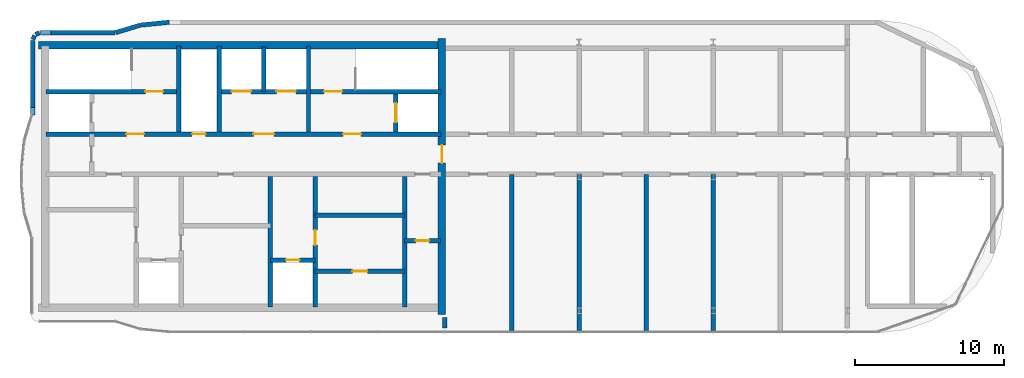
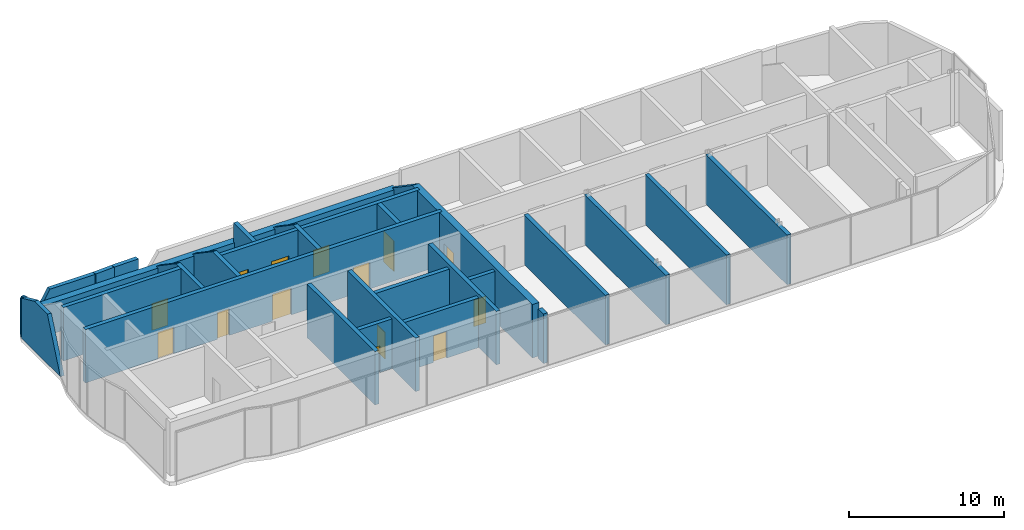
# One storey, part 7 of 9: 28 walls, 14 doors, 14 openings.
"""IFC4 building model written with IfcOpenShell, lengths in metres."""

from ifc_helpers import new_model, si_unit, direction, frame, frame_2d, origin, place, context, subcontext, project, spatial, polyline, rectangle, outline, extrude, material, layer, layer_set, type_object, element, fill, save


model = new_model("IFC4")

# Units and contexts
model_context = context("Model", 3, precision=1e-05, world=origin(), true_north=direction((0.0, 1.0)))
body_context = subcontext(model_context, "Body", "Model", "MODEL_VIEW")
ifc_project = project(units=[si_unit("LENGTHUNIT", "METRE"), si_unit("AREAUNIT", "SQUARE_METRE"), si_unit("VOLUMEUNIT", "CUBIC_METRE"), si_unit("PLANEANGLEUNIT", "RADIAN"), si_unit("MASSUNIT", "GRAM", prefix="KILO")], contexts=[model_context])

# Site, building, storey
site_placement = place(None, origin())
site = spatial("IfcSite", under=ifc_project, at=site_placement, CompositionType="ELEMENT")
building_placement = place(site_placement, origin())
building = spatial("IfcBuilding", under=site, at=building_placement, Name="Ogive Portal Towers", CompositionType="ELEMENT")
storey_placement = place(building_placement, frame((0.0, 0.0, 281.300048828125)))
storey = spatial("IfcBuildingStorey", under=building, at=storey_placement, Name="L68", CompositionType="ELEMENT", Elevation=281.300048828125)

# Wall
ifc_material_1 = material(Name="Concrete C60/75", Category="concrete")
ifc_layer_1 = layer(ifc_material_1, 0.300048828125)
ifc_layer_set_1 = layer_set([ifc_layer_1], Name="CORE WALL 300 C60")
wall_type_1 = type_object("IfcWallType", Name="CORE WALL 300 C60", PredefinedType="SHEAR", material=ifc_layer_set_1)
wall_1_placement = place(storey_placement, frame((46.800048828125, 21.75, 0.0), z_axis=(0.0, 0.0, 1.0), x_axis=(0.0, 1.0, 0.0)))
element("IfcWall", 1, at=wall_1_placement, inside=storey, type_object=wall_type_1, Name="Core wall X3 L68", PredefinedType="SHEAR", context=body_context, shape_type="SweptSolid", body=[
    extrude(rectangle(XDim=8.75, YDim=0.300048828125, at=frame_2d((4.375, 0.0))), origin(), (0.0, 0.0, 1.0), 4.199951171875),
])

# Wall, opening, door
wall_2_placement = place(storey_placement, frame((49.800048828125, 21.75, 0.0), z_axis=(0.0, 0.0, 1.0), x_axis=(0.0, 1.0, 0.0)))
wall_2 = element("IfcWall", 2, at=wall_2_placement, inside=storey, type_object=wall_type_1, Name="Core wall X4 L68", PredefinedType="SHEAR", context=body_context, shape_type="SweptSolid", body=[
    extrude(rectangle(XDim=8.75, YDim=0.300048828125, at=frame_2d((4.375, 0.0))), origin(), (0.0, 0.0, 1.0), 4.199951171875),
])
opening_1_placement = place(wall_2_placement, frame((4.14990234375, 0.0, 0.0)))
opening_1 = element("IfcOpeningElement", 3, at=opening_1_placement, cuts=wall_2, Name="Opening D34-020", PredefinedType="OPENING", context=body_context, shape_type="SweptSolid", body=[
    extrude(rectangle(XDim=1.0, YDim=2.10009765625, at=frame_2d((0.5, 1.050048828125))), frame((0.0, 0.16015625, 0.0), z_axis=(0.0, -1.0, 0.0), x_axis=(1.0, 0.0, 0.0)), (0.0, 0.0, 1.0), 0.320068359375),
])
ifc_material_2 = material(Name="Steel fire door", Category="steel")
door_type_1 = type_object("IfcDoorType", Name="DT-SWING-1000x2100-FD90S", OperationType="SINGLE_SWING_LEFT", PredefinedType="DOOR", material=ifc_material_2)
door_1_placement = place(opening_1_placement, origin())
door_1 = element("IfcDoor", 4, at=door_1_placement, inside=storey, type_object=door_type_1, Name="Door D34-020", OperationType="SINGLE_SWING_LEFT", OverallHeight=2.10009765625, OverallWidth=1.0, PredefinedType="DOOR", context=body_context, shape_type="SweptSolid", body=[
    extrude(rectangle(XDim=1.0, YDim=2.10009765625, at=frame_2d((0.5, 1.050048828125))), frame((0.0, 0.02490234375, 0.0), z_axis=(0.0, -1.0, 0.0), x_axis=(1.0, 0.0, 0.0)), (0.0, 0.0, 1.0), 0.050048828125),
])
fill(opening_1, door_1)

# Wall
wall_3_placement = place(storey_placement, frame((55.800048828125, 21.75, 0.0), z_axis=(0.0, 0.0, 1.0), x_axis=(0.0, 1.0, 0.0)))
element("IfcWall", 5, at=wall_3_placement, inside=storey, type_object=wall_type_1, Name="Core wall X5 L68", PredefinedType="SHEAR", context=body_context, shape_type="SweptSolid", body=[
    extrude(rectangle(XDim=8.75, YDim=0.300048828125, at=frame_2d((4.375, 0.0))), origin(), (0.0, 0.0, 1.0), 4.199951171875),
])

# Wall, openings, doors
wall_4_placement = place(storey_placement, frame((31.75, 33.35009765625, 0.0), z_axis=(0.0, 0.0, 1.0), x_axis=(1.0, 0.0, 0.0)))
wall_4 = element("IfcWall", 6, at=wall_4_placement, inside=storey, type_object=wall_type_1, Name="Core wall Y2 L68", PredefinedType="SHEAR", context=body_context, shape_type="SweptSolid", body=[
    extrude(rectangle(XDim=26.5, YDim=0.300048828125, at=frame_2d((13.25, 0.0))), origin(), (0.0, 0.0, 1.0), 4.199951171875),
])
opening_2_placement = place(wall_4_placement, frame((13.89990234375, 0.0, 0.0)))
opening_2 = element("IfcOpeningElement", 7, at=opening_2_placement, cuts=wall_4, Name="Opening D34-001", PredefinedType="OPENING", context=body_context, shape_type="SweptSolid", body=[
    extrude(rectangle(XDim=1.39990234375, YDim=2.10009765625, at=frame_2d((0.699951171875, 1.050048828125))), frame((0.0, 0.16015625, 0.0), z_axis=(0.0, -1.0, 0.0), x_axis=(1.0, 0.0, 0.0)), (0.0, 0.0, 1.0), 0.320068359375),
])
opening_3_placement = place(wall_4_placement, frame((5.375, 0.0, 0.0)))
opening_3 = element("IfcOpeningElement", 8, at=opening_3_placement, cuts=wall_4, Name="Opening D34-002", PredefinedType="OPENING", context=body_context, shape_type="SweptSolid", body=[
    extrude(rectangle(XDim=1.199951171875, YDim=2.10009765625, at=frame_2d((0.60009765625, 1.050048828125))), frame((0.0, 0.16015625, 0.0), z_axis=(0.0, -1.0, 0.0), x_axis=(1.0, 0.0, 0.0)), (0.0, 0.0, 1.0), 0.320068359375),
])
opening_4_placement = place(wall_4_placement, frame((19.925048828125, 0.0, 0.0)))
opening_4 = element("IfcOpeningElement", 9, at=opening_4_placement, cuts=wall_4, Name="Opening D34-003", PredefinedType="OPENING", context=body_context, shape_type="SweptSolid", body=[
    extrude(rectangle(XDim=1.199951171875, YDim=2.10009765625, at=frame_2d((0.60009765625, 1.050048828125))), frame((0.0, 0.16015625, 0.0), z_axis=(0.0, -1.0, 0.0), x_axis=(1.0, 0.0, 0.0)), (0.0, 0.0, 1.0), 0.320068359375),
])
opening_5_placement = place(wall_4_placement, frame((9.800048828125, 0.0, 0.0)))
opening_5 = element("IfcOpeningElement", 10, at=opening_5_placement, cuts=wall_4, Name="Opening D34-006", PredefinedType="OPENING", context=body_context, shape_type="SweptSolid", body=[
    extrude(rectangle(XDim=0.89990234375, YDim=2.10009765625, at=frame_2d((0.449951171875, 1.050048828125))), frame((0.0, 0.16015625, 0.0), z_axis=(0.0, -1.0, 0.0), x_axis=(1.0, 0.0, 0.0)), (0.0, 0.0, 1.0), 0.320068359375),
])
door_type_2 = type_object("IfcDoorType", Name="DT-SWING-1200x2100-FD90S", OperationType="SINGLE_SWING_LEFT", PredefinedType="DOOR", material=ifc_material_2)
door_2_placement = place(opening_3_placement, origin())
door_2 = element("IfcDoor", 11, at=door_2_placement, inside=storey, type_object=door_type_2, Name="Door D34-002", OperationType="SINGLE_SWING_LEFT", OverallHeight=2.10009765625, OverallWidth=1.199951171875, PredefinedType="DOOR", context=body_context, shape_type="SweptSolid", body=[
    extrude(rectangle(XDim=1.199951171875, YDim=2.10009765625, at=frame_2d((0.60009765625, 1.050048828125))), frame((0.0, 0.02490234375, 0.0), z_axis=(0.0, -1.0, 0.0), x_axis=(1.0, 0.0, 0.0)), (0.0, 0.0, 1.0), 0.050048828125),
])
fill(opening_3, door_2)
door_3_placement = place(opening_4_placement, origin())
door_3 = element("IfcDoor", 12, at=door_3_placement, inside=storey, type_object=door_type_2, Name="Door D34-003", OperationType="SINGLE_SWING_RIGHT", OverallHeight=2.10009765625, OverallWidth=1.199951171875, PredefinedType="DOOR", context=body_context, shape_type="SweptSolid", body=[
    extrude(rectangle(XDim=1.199951171875, YDim=2.10009765625, at=frame_2d((0.60009765625, 1.050048828125))), frame((0.0, 0.02490234375, 0.0), z_axis=(0.0, -1.0, 0.0), x_axis=(1.0, 0.0, 0.0)), (0.0, 0.0, 1.0), 0.050048828125),
])
fill(opening_4, door_3)
door_type_3 = type_object("IfcDoorType", Name="DT-SWING-1400x2100-FD90S", OperationType="SINGLE_SWING_LEFT", PredefinedType="DOOR", material=ifc_material_2)
door_4_placement = place(opening_2_placement, origin())
door_4 = element("IfcDoor", 13, at=door_4_placement, inside=storey, type_object=door_type_3, Name="Door D34-001", OperationType="SINGLE_SWING_RIGHT", OverallHeight=2.10009765625, OverallWidth=1.39990234375, PredefinedType="DOOR", context=body_context, shape_type="SweptSolid", body=[
    extrude(rectangle(XDim=1.39990234375, YDim=2.10009765625, at=frame_2d((0.699951171875, 1.050048828125))), frame((0.0, 0.02490234375, 0.0), z_axis=(0.0, -1.0, 0.0), x_axis=(1.0, 0.0, 0.0)), (0.0, 0.0, 1.0), 0.050048828125),
])
fill(opening_2, door_4)
door_type_4 = type_object("IfcDoorType", Name="DT-SWING-900x2100-FD90S", OperationType="SINGLE_SWING_LEFT", PredefinedType="DOOR", material=ifc_material_2)
door_5_placement = place(opening_5_placement, origin())
door_5 = element("IfcDoor", 14, at=door_5_placement, inside=storey, type_object=door_type_4, Name="Riser access door D34-006", OperationType="SINGLE_SWING_LEFT", OverallHeight=2.10009765625, OverallWidth=0.89990234375, PredefinedType="DOOR", context=body_context, shape_type="SweptSolid", body=[
    extrude(rectangle(XDim=0.89990234375, YDim=2.10009765625, at=frame_2d((0.449951171875, 1.050048828125))), frame((0.0, 0.02490234375, 0.0), z_axis=(0.0, -1.0, 0.0), x_axis=(1.0, 0.0, 0.0)), (0.0, 0.0, 1.0), 0.050048828125),
])
fill(opening_5, door_5)

# Wall, opening, door
wall_5_placement = place(storey_placement, frame((31.75, 36.199951171875, 0.0), z_axis=(0.0, 0.0, 1.0), x_axis=(1.0, 0.0, 0.0)))
wall_5 = element("IfcWall", 15, at=wall_5_placement, inside=storey, type_object=wall_type_1, Name="Core wall Y3a L68", PredefinedType="SHEAR", context=body_context, shape_type="SweptSolid", body=[
    extrude(rectangle(XDim=8.75, YDim=0.300048828125, at=frame_2d((4.375, 0.0))), origin(), (0.0, 0.0, 1.0), 4.199951171875),
])
opening_6_placement = place(wall_5_placement, frame((6.64990234375, 0.0, 0.0)))
opening_6 = element("IfcOpeningElement", 16, at=opening_6_placement, cuts=wall_5, Name="Opening D34-004", PredefinedType="OPENING", context=body_context, shape_type="SweptSolid", body=[
    extrude(rectangle(XDim=1.199951171875, YDim=2.10009765625, at=frame_2d((0.60009765625, 1.050048828125))), frame((0.0, 0.16015625, 0.0), z_axis=(0.0, -1.0, 0.0), x_axis=(1.0, 0.0, 0.0)), (0.0, 0.0, 1.0), 0.320068359375),
])
door_6_placement = place(opening_6_placement, origin())
door_6 = element("IfcDoor", 17, at=door_6_placement, inside=storey, type_object=door_type_2, Name="Door D34-004", OperationType="SINGLE_SWING_RIGHT", OverallHeight=2.10009765625, OverallWidth=1.199951171875, PredefinedType="DOOR", context=body_context, shape_type="SweptSolid", body=[
    extrude(rectangle(XDim=1.199951171875, YDim=2.10009765625, at=frame_2d((0.60009765625, 1.050048828125))), frame((0.0, 0.02490234375, 0.0), z_axis=(0.0, -1.0, 0.0), x_axis=(1.0, 0.0, 0.0)), (0.0, 0.0, 1.0), 0.050048828125),
])
fill(opening_6, door_6)

# Wall, openings, doors
wall_6_placement = place(storey_placement, frame((43.5, 36.199951171875, 0.0), z_axis=(0.0, 0.0, 1.0), x_axis=(1.0, 0.0, 0.0)))
wall_6 = element("IfcWall", 18, at=wall_6_placement, inside=storey, type_object=wall_type_1, Name="Core wall Y3b L68", PredefinedType="SHEAR", context=body_context, shape_type="SweptSolid", body=[
    extrude(rectangle(XDim=14.75, YDim=0.300048828125, at=frame_2d((7.375, 0.0))), origin(), (0.0, 0.0, 1.0), 4.199951171875),
])
opening_7_placement = place(wall_6_placement, frame((6.89990234375, 0.0, 0.0)))
opening_7 = element("IfcOpeningElement", 19, at=opening_7_placement, cuts=wall_6, Name="Opening D34-005", PredefinedType="OPENING", context=body_context, shape_type="SweptSolid", body=[
    extrude(rectangle(XDim=1.199951171875, YDim=2.10009765625, at=frame_2d((0.60009765625, 1.050048828125))), frame((0.0, 0.16015625, 0.0), z_axis=(0.0, -1.0, 0.0), x_axis=(1.0, 0.0, 0.0)), (0.0, 0.0, 1.0), 0.320068359375),
])
opening_8_placement = place(wall_6_placement, frame((0.699951171875, 0.0, 0.0)))
opening_8 = element("IfcOpeningElement", 20, at=opening_8_placement, cuts=wall_6, Name="Opening D34-012", PredefinedType="OPENING", context=body_context, shape_type="SweptSolid", body=[
    extrude(rectangle(XDim=1.300048828125, YDim=2.39990234375, at=frame_2d((0.64990234375, 1.199951171875))), frame((0.0, 0.16015625, 0.0), z_axis=(0.0, -1.0, 0.0), x_axis=(1.0, 0.0, 0.0)), (0.0, 0.0, 1.0), 0.320068359375),
])
opening_9_placement = place(wall_6_placement, frame((3.699951171875, 0.0, 0.0)))
opening_9 = element("IfcOpeningElement", 21, at=opening_9_placement, cuts=wall_6, Name="Opening D34-013", PredefinedType="OPENING", context=body_context, shape_type="SweptSolid", body=[
    extrude(rectangle(XDim=1.300048828125, YDim=2.39990234375, at=frame_2d((0.64990234375, 1.199951171875))), frame((0.0, 0.16015625, 0.0), z_axis=(0.0, -1.0, 0.0), x_axis=(1.0, 0.0, 0.0)), (0.0, 0.0, 1.0), 0.320068359375),
])
ifc_material_3 = material(Name="Stainless steel", Category="steel")
door_type_5 = type_object("IfcDoorType", Name="DT-LD-1300x2400", OperationType="SLIDING_TO_LEFT", PredefinedType="DOOR", material=ifc_material_3)
door_7_placement = place(opening_8_placement, origin())
door_7 = element("IfcDoor", 22, at=door_7_placement, inside=storey, type_object=door_type_5, Name="Door D34-012", OperationType="SLIDING_TO_LEFT", OverallHeight=2.39990234375, OverallWidth=1.300048828125, PredefinedType="DOOR", context=body_context, shape_type="SweptSolid", body=[
    extrude(rectangle(XDim=1.300048828125, YDim=2.39990234375, at=frame_2d((0.64990234375, 1.199951171875))), frame((0.0, 0.02490234375, 0.0), z_axis=(0.0, -1.0, 0.0), x_axis=(1.0, 0.0, 0.0)), (0.0, 0.0, 1.0), 0.050048828125),
])
fill(opening_8, door_7)
door_8_placement = place(opening_9_placement, origin())
door_8 = element("IfcDoor", 23, at=door_8_placement, inside=storey, type_object=door_type_5, Name="Door D34-013", OperationType="SLIDING_TO_LEFT", OverallHeight=2.39990234375, OverallWidth=1.300048828125, PredefinedType="DOOR", context=body_context, shape_type="SweptSolid", body=[
    extrude(rectangle(XDim=1.300048828125, YDim=2.39990234375, at=frame_2d((0.64990234375, 1.199951171875))), frame((0.0, 0.02490234375, 0.0), z_axis=(0.0, -1.0, 0.0), x_axis=(1.0, 0.0, 0.0)), (0.0, 0.0, 1.0), 0.050048828125),
])
fill(opening_9, door_8)
door_9_placement = place(opening_7_placement, origin())
door_9 = element("IfcDoor", 24, at=door_9_placement, inside=storey, type_object=door_type_2, Name="Door D34-005", OperationType="SINGLE_SWING_LEFT", OverallHeight=2.10009765625, OverallWidth=1.199951171875, PredefinedType="DOOR", context=body_context, shape_type="SweptSolid", body=[
    extrude(rectangle(XDim=1.199951171875, YDim=2.10009765625, at=frame_2d((0.60009765625, 1.050048828125))), frame((0.0, 0.02490234375, 0.0), z_axis=(0.0, -1.0, 0.0), x_axis=(1.0, 0.0, 0.0)), (0.0, 0.0, 1.0), 0.050048828125),
])
fill(opening_7, door_9)

# Walls
for number, where, z_axis, x_axis, name in (
    (25, (40.64990234375, 33.5, 0.0), (0.0, 0.0, 1.0), (0.0, 1.0, 0.0), "Core wall X6 L68"),
    (26, (43.35009765625, 33.5, 0.0), (0.0, 0.0, 1.0), (0.0, 1.0, 0.0), "Core wall X7 L68"),
    (27, (49.35009765625, 33.5, 0.0), (0.0, 0.0, 1.0), (0.0, 1.0, 0.0), "Core wall X9 L68"),
):
    element("IfcWall", number, at=place(storey_placement, frame(where, z_axis=z_axis, x_axis=x_axis)), inside=storey, type_object=wall_type_1, Name=name, PredefinedType="SHEAR", context=body_context, shape_type="SweptSolid", body=[
        extrude(outline(polyline([(0.0, 0.0), (5.75, 0.0), (5.75, 2.4599609375), (3.191162109375, 4.199951171875), (0.0, 4.199951171875), (0.0, 0.0)])), frame((0.0, 0.14990234375, 0.0), z_axis=(0.0, -1.0, 0.0), x_axis=(1.0, 0.0, 0.0)), (0.0, 0.0, 1.0), 0.300048828125),
    ])

# Wall, opening, door
wall_7_placement = place(storey_placement, frame((55.199951171875, 33.5, 0.0), z_axis=(0.0, 0.0, 1.0), x_axis=(0.0, 1.0, 0.0)))
wall_7 = element("IfcWall", 28, at=wall_7_placement, inside=storey, type_object=wall_type_1, Name="Core wall X10 L68", PredefinedType="SHEAR", context=body_context, shape_type="SweptSolid", body=[
    extrude(rectangle(XDim=2.550048828125, YDim=0.300048828125, at=frame_2d((1.27490234375, 0.0))), origin(), (0.0, 0.0, 1.0), 4.199951171875),
])
opening_10_placement = place(wall_7_placement, frame((0.625, 0.0, 0.0)))
opening_10 = element("IfcOpeningElement", 29, at=opening_10_placement, cuts=wall_7, Name="Opening D34-015", PredefinedType="OPENING", context=body_context, shape_type="SweptSolid", body=[
    extrude(rectangle(XDim=1.300048828125, YDim=2.39990234375, at=frame_2d((0.64990234375, 1.199951171875))), frame((0.0, 0.16015625, 0.0), z_axis=(0.0, -1.0, 0.0), x_axis=(1.0, 0.0, 0.0)), (0.0, 0.0, 1.0), 0.320068359375),
])
door_10_placement = place(opening_10_placement, origin())
door_10 = element("IfcDoor", 30, at=door_10_placement, inside=storey, type_object=door_type_5, Name="Door D34-015", OperationType="SLIDING_TO_LEFT", OverallHeight=2.39990234375, OverallWidth=1.300048828125, PredefinedType="DOOR", context=body_context, shape_type="SweptSolid", body=[
    extrude(rectangle(XDim=1.300048828125, YDim=2.39990234375, at=frame_2d((0.64990234375, 1.199951171875))), frame((0.0, 0.02490234375, 0.0), z_axis=(0.0, -1.0, 0.0), x_axis=(1.0, 0.0, 0.0)), (0.0, 0.0, 1.0), 0.050048828125),
])
fill(opening_10, door_10)

ifc_layer_2 = layer(ifc_material_1, 0.5)
ifc_layer_set_2 = layer_set([ifc_layer_2], Name="CORE WALL 500 C60")
wall_type_2 = type_object("IfcWallType", Name="CORE WALL 500 C60", PredefinedType="SHEAR", material=ifc_layer_set_2)
wall_8_placement = place(storey_placement, frame((58.300048828125, 21.25, 0.0), z_axis=(0.0, 0.0, 1.0), x_axis=(0.0, 1.0, 0.0)))
wall_8 = element("IfcWall", 31, at=wall_8_placement, inside=storey, type_object=wall_type_2, Name="Core wall E L68", PredefinedType="SHEAR", context=body_context, shape_type="SweptSolid", body=[
    extrude(outline(polyline([(0.0, 0.0), (18.5, 0.0), (18.5, 2.119873046875), (15.441162109375, 4.199951171875), (0.0, 4.199951171875), (0.0, 0.0)])), frame((0.0, 0.25, 0.0), z_axis=(0.0, -1.0, 0.0), x_axis=(1.0, 0.0, 0.0)), (0.0, 0.0, 1.0), 0.5),
])
opening_11_placement = place(wall_8_placement, frame((10.14990234375, 0.0, 0.0)))
opening_11 = element("IfcOpeningElement", 32, at=opening_11_placement, cuts=wall_8, Name="Opening D34-011", PredefinedType="OPENING", context=body_context, shape_type="SweptSolid", body=[
    extrude(rectangle(XDim=1.199951171875, YDim=2.10009765625, at=frame_2d((0.60009765625, 1.050048828125))), frame((0.0, 0.260009765625, 0.0), z_axis=(0.0, -1.0, 0.0), x_axis=(1.0, 0.0, 0.0)), (0.0, 0.0, 1.0), 0.52001953125),
])
door_11_placement = place(opening_11_placement, origin())
door_11 = element("IfcDoor", 33, at=door_11_placement, inside=storey, type_object=door_type_2, Name="Door D34-011", OperationType="SINGLE_SWING_LEFT", OverallHeight=2.10009765625, OverallWidth=1.199951171875, PredefinedType="DOOR", context=body_context, shape_type="SweptSolid", body=[
    extrude(rectangle(XDim=1.199951171875, YDim=2.10009765625, at=frame_2d((0.60009765625, 1.050048828125))), frame((0.0, 0.02490234375, 0.0), z_axis=(0.0, -1.0, 0.0), x_axis=(1.0, 0.0, 0.0)), (0.0, 0.0, 1.0), 0.050048828125),
])
fill(opening_11, door_11)

# Walls
wall_9_placement = place(storey_placement, frame((31.25, 39.300048828125, 0.0), z_axis=(0.0, 0.0, 1.0), x_axis=(1.0, 0.0, 0.0)))
element("IfcWall", 34, at=wall_9_placement, inside=storey, type_object=wall_type_2, Name="Core wall N L68", PredefinedType="SHEAR", context=body_context, shape_type="SweptSolid", body=[
    extrude(rectangle(XDim=27.0, YDim=0.5, at=frame_2d((13.5, 0.0))), origin(), (0.0, 0.0, 1.0), 2.426025390625),
])
ifc_material_4 = material(Name="Limestone cladding on lightweight block wall", Category="masonry")
ifc_layer_3 = layer(ifc_material_4, 0.300048828125)
ifc_layer_set_3 = layer_set([ifc_layer_3], Name="CROWN KNEE WALL 300 STONE")
wall_type_3 = type_object("IfcWallType", Name="CROWN KNEE WALL 300 STONE", PredefinedType="SOLIDWALL", material=ifc_layer_set_3)
wall_10_placement = place(storey_placement, frame((40.0, 40.849365234375, 0.0), z_axis=(0.0, 0.0, 1.0), x_axis=(-0.99517500016, -0.098115845086, 0.0)))
element("IfcWall", 35, at=wall_10_placement, inside=storey, type_object=wall_type_3, Name="A:L68:c13:wall", PredefinedType="SOLIDWALL", context=body_context, shape_type="SweptSolid", body=[
    extrude(outline(polyline([(0.0, 0.0), (1.916015625, 0.0), (1.916015625, 2.4501953125), (0.0, 2.322509765625), (0.0, 0.0)])), frame((0.0, 0.14990234375, 0.0), z_axis=(0.0, -1.0, 0.0), x_axis=(1.0, 0.0, 0.0)), (0.0, 0.0, 1.0), 0.300048828125),
])
wall_11_placement = place(storey_placement, frame((38.064453125, 40.65576171875, 0.0), z_axis=(0.0, 0.0, 1.0), x_axis=(-0.956946775749, -0.290263446515, 0.0)))
element("IfcWall", 36, at=wall_11_placement, inside=storey, type_object=wall_type_3, Name="A:L68:c14:wall", PredefinedType="SOLIDWALL", context=body_context, shape_type="SweptSolid", body=[
    extrude(outline(polyline([(0.0, 0.0), (1.719970703125, 0.0), (1.719970703125, 2.79345703125), (0.0, 2.4541015625), (0.0, 0.0)])), frame((0.0, 0.14990234375, 0.0), z_axis=(0.0, -1.0, 0.0), x_axis=(1.0, 0.0, 0.0)), (0.0, 0.0, 1.0), 0.300048828125),
])
wall_12_placement = place(storey_placement, frame((36.375, 40.14990234375, 0.0), z_axis=(0.0, 0.0, 1.0), x_axis=(-1.0, 0.0, 0.0)))
element("IfcWall", 37, at=wall_12_placement, inside=storey, type_object=wall_type_3, Name="A:L68:c15:wall", PredefinedType="SOLIDWALL", context=body_context, shape_type="SweptSolid", body=[
    extrude(outline(polyline([(0.0, 0.0), (5.015380859375, 0.0), (5.01513671875, 2.7978515625), (5.01513671875, 0.0), (3.343505859375, 2.7978515625), (1.671630859375, 2.7978515625), (0.0, 2.7978515625), (0.0, 0.0)])), frame((0.0, 0.14990234375, 0.0), z_axis=(0.0, -1.0, 0.0), x_axis=(1.0, 0.0, 0.0)), (0.0, 0.0, 1.0), 0.300048828125),
])
wall_13_placement = place(storey_placement, frame((31.30224609375, 40.138671875, 0.0), z_axis=(0.0, 0.0, 1.0), x_axis=(-0.923757413239, -0.38297812142, 0.0)))
element("IfcWall", 38, at=wall_13_placement, inside=storey, type_object=wall_type_3, Name="A:L68:c16:wall", PredefinedType="SOLIDWALL", context=body_context, shape_type="SweptSolid", body=[
    extrude(outline(polyline([(0.0, 0.0), (0.275390625, 0.0), (0.275390625, 2.87744140625), (0.0, 2.8056640625), (0.0, 0.0)])), frame((0.0, 0.14990234375, 0.0), z_axis=(0.0, -1.0, 0.0), x_axis=(1.0, 0.0, 0.0)), (0.0, 0.0, 1.0), 0.300048828125),
])
wall_14_placement = place(storey_placement, frame((30.966796875, 39.9521484375, 0.0), z_axis=(0.0, 0.0, 1.0), x_axis=(-0.38297812142, -0.923757413239, 0.0)))
element("IfcWall", 39, at=wall_14_placement, inside=storey, type_object=wall_type_3, Name="A:L68:c17:wall", PredefinedType="SOLIDWALL", context=body_context, shape_type="SweptSolid", body=[
    extrude(outline(polyline([(0.0, 0.0), (0.275390625, 0.0), (0.275390625, 3.10546875), (0.0, 2.9326171875), (0.0, 0.0)])), frame((0.0, 0.14990234375, 0.0), z_axis=(0.0, -1.0, 0.0), x_axis=(1.0, 0.0, 0.0)), (0.0, 0.0, 1.0), 0.300048828125),
])
wall_15_placement = place(storey_placement, frame((30.85009765625, 39.640380859375, 0.0), z_axis=(0.0, 0.0, 1.0), x_axis=(0.0, -1.0, 0.0)))
element("IfcWall", 40, at=wall_15_placement, inside=storey, type_object=wall_type_3, Name="A:L68:c18:wall", PredefinedType="SOLIDWALL", context=body_context, shape_type="SweptSolid", body=[
    extrude(outline(polyline([(0.0, 0.0), (5.015380859375, 0.0), (5.01513671875, 3.89990234375), (5.01513671875, 0.0), (3.343505859375, 3.89990234375), (1.671630859375, 3.89990234375), (0.0, 3.14453125), (0.0, 0.0)])), frame((0.0, 0.14990234375, 0.0), z_axis=(0.0, -1.0, 0.0), x_axis=(1.0, 0.0, 0.0)), (0.0, 0.0, 1.0), 0.300048828125),
])

# Wall, opening, door
ifc_material_5 = material(Name="Gypsum board partition on steel studs", Category="steel")
ifc_layer_4 = layer(ifc_material_5, 0.300048828125)
ifc_layer_set_4 = layer_set([ifc_layer_4], Name="WT-PART-300")
wall_type_4 = type_object("IfcWallType", Name="WT-PART-300", PredefinedType="PARTITIONING", material=ifc_layer_set_4)
wall_16_placement = place(storey_placement, frame((49.800048828125, 24.14990234375, 0.0), z_axis=(0.0, 0.0, 1.0), x_axis=(1.0, 0.0, 0.0)))
wall_16 = element("IfcWall", 41, at=wall_16_placement, inside=storey, type_object=wall_type_4, Name="Wall pw:001:L68", PredefinedType="PARTITIONING", context=body_context, shape_type="SweptSolid", body=[
    extrude(rectangle(XDim=6.0, YDim=0.300048828125, at=frame_2d((3.0, 0.0))), origin(), (0.0, 0.0, 1.0), 3.89990234375),
])
opening_12_placement = place(wall_16_placement, frame((2.5, 0.0, 0.0)))
opening_12 = element("IfcOpeningElement", 42, at=opening_12_placement, cuts=wall_16, Name="Opening D34-021", PredefinedType="OPENING", context=body_context, shape_type="SweptSolid", body=[
    extrude(rectangle(XDim=1.0, YDim=2.10009765625, at=frame_2d((0.5, 1.050048828125))), frame((0.0, 0.16015625, 0.0), z_axis=(0.0, -1.0, 0.0), x_axis=(1.0, 0.0, 0.0)), (0.0, 0.0, 1.0), 0.320068359375),
])
door_type_6 = type_object("IfcDoorType", Name="DT-SWING-1000x2100-FD60S", OperationType="SINGLE_SWING_LEFT", PredefinedType="DOOR", material=ifc_material_2)
door_12_placement = place(opening_12_placement, origin())
door_12 = element("IfcDoor", 43, at=door_12_placement, inside=storey, type_object=door_type_6, Name="Door D34-021", OperationType="SINGLE_SWING_RIGHT", OverallHeight=2.10009765625, OverallWidth=1.0, PredefinedType="DOOR", context=body_context, shape_type="SweptSolid", body=[
    extrude(rectangle(XDim=1.0, YDim=2.10009765625, at=frame_2d((0.5, 1.050048828125))), frame((0.0, 0.02490234375, 0.0), z_axis=(0.0, -1.0, 0.0), x_axis=(1.0, 0.0, 0.0)), (0.0, 0.0, 1.0), 0.050048828125),
])
fill(opening_12, door_12)

wall_17_placement = place(storey_placement, frame((46.800048828125, 24.89990234375, 0.0), z_axis=(0.0, 0.0, 1.0), x_axis=(1.0, 0.0, 0.0)))
wall_17 = element("IfcWall", 44, at=wall_17_placement, inside=storey, type_object=wall_type_4, Name="Wall pw:003:L68", PredefinedType="PARTITIONING", context=body_context, shape_type="SweptSolid", body=[
    extrude(rectangle(XDim=3.0, YDim=0.300048828125, at=frame_2d((1.5, 0.0))), origin(), (0.0, 0.0, 1.0), 3.89990234375),
])
opening_13_placement = place(wall_17_placement, frame((1.050048828125, 0.0, 0.0)))
opening_13 = element("IfcOpeningElement", 45, at=opening_13_placement, cuts=wall_17, Name="Opening D34-008", PredefinedType="OPENING", context=body_context, shape_type="SweptSolid", body=[
    extrude(rectangle(XDim=0.89990234375, YDim=2.10009765625, at=frame_2d((0.449951171875, 1.050048828125))), frame((0.0, 0.16015625, 0.0), z_axis=(0.0, -1.0, 0.0), x_axis=(1.0, 0.0, 0.0)), (0.0, 0.0, 1.0), 0.320068359375),
])
door_type_7 = type_object("IfcDoorType", Name="DT-SWING-900x2100-FD60S", OperationType="SINGLE_SWING_LEFT", PredefinedType="DOOR", material=ifc_material_2)
door_13_placement = place(opening_13_placement, origin())
door_13 = element("IfcDoor", 46, at=door_13_placement, inside=storey, type_object=door_type_7, Name="Riser access door D34-008", OperationType="SINGLE_SWING_RIGHT", OverallHeight=2.10009765625, OverallWidth=0.89990234375, PredefinedType="DOOR", context=body_context, shape_type="SweptSolid", body=[
    extrude(rectangle(XDim=0.89990234375, YDim=2.10009765625, at=frame_2d((0.449951171875, 1.050048828125))), frame((0.0, 0.02490234375, 0.0), z_axis=(0.0, -1.0, 0.0), x_axis=(1.0, 0.0, 0.0)), (0.0, 0.0, 1.0), 0.050048828125),
])
fill(opening_13, door_13)

wall_18_placement = place(storey_placement, frame((55.800048828125, 26.199951171875, 0.0), z_axis=(0.0, 0.0, 1.0), x_axis=(1.0, 0.0, 0.0)))
wall_18 = element("IfcWall", 47, at=wall_18_placement, inside=storey, type_object=wall_type_4, Name="Wall pw:004:L68", PredefinedType="PARTITIONING", context=body_context, shape_type="SweptSolid", body=[
    extrude(rectangle(XDim=2.39990234375, YDim=0.300048828125, at=frame_2d((1.199951171875, 0.0))), origin(), (0.0, 0.0, 1.0), 3.89990234375),
])
opening_14_placement = place(wall_18_placement, frame((0.75, 0.0, 0.0)))
opening_14 = element("IfcOpeningElement", 48, at=opening_14_placement, cuts=wall_18, Name="Opening D34-010", PredefinedType="OPENING", context=body_context, shape_type="SweptSolid", body=[
    extrude(rectangle(XDim=0.89990234375, YDim=2.10009765625, at=frame_2d((0.449951171875, 1.050048828125))), frame((0.0, 0.16015625, 0.0), z_axis=(0.0, -1.0, 0.0), x_axis=(1.0, 0.0, 0.0)), (0.0, 0.0, 1.0), 0.320068359375),
])
door_14_placement = place(opening_14_placement, origin())
door_14 = element("IfcDoor", 49, at=door_14_placement, inside=storey, type_object=door_type_7, Name="Door D34-010", OperationType="SINGLE_SWING_RIGHT", OverallHeight=2.10009765625, OverallWidth=0.89990234375, PredefinedType="DOOR", context=body_context, shape_type="SweptSolid", body=[
    extrude(rectangle(XDim=0.89990234375, YDim=2.10009765625, at=frame_2d((0.449951171875, 1.050048828125))), frame((0.0, 0.02490234375, 0.0), z_axis=(0.0, -1.0, 0.0), x_axis=(1.0, 0.0, 0.0)), (0.0, 0.0, 1.0), 0.050048828125),
])
fill(opening_14, door_14)

# Walls
wall_19_placement = place(storey_placement, frame((49.800048828125, 27.89990234375, 0.0), z_axis=(0.0, 0.0, 1.0), x_axis=(1.0, 0.0, 0.0)))
element("IfcWall", 50, at=wall_19_placement, inside=storey, type_object=wall_type_4, Name="Wall pw:006:L68", PredefinedType="PARTITIONING", context=body_context, shape_type="SweptSolid", body=[
    extrude(rectangle(XDim=6.0, YDim=0.300048828125, at=frame_2d((3.0, 0.0))), origin(), (0.0, 0.0, 1.0), 3.89990234375),
])
ifc_layer_5 = layer(ifc_material_5, 0.300048828125)
ifc_layer_set_5 = layer_set([ifc_layer_5], Name="WT-PART-300-EI 60")
wall_type_5 = type_object("IfcWallType", Name="WT-PART-300-EI 60", PredefinedType="PARTITIONING", material=ifc_layer_set_5)
wall_20_placement = place(storey_placement, frame((58.5, 20.35009765625, 0.0), z_axis=(0.0, 0.0, 1.0), x_axis=(0.0, 1.0, 0.0)))
element("IfcWall", 51, at=wall_20_placement, inside=storey, type_object=wall_type_5, Name="Wall L68:w007", PredefinedType="PARTITIONING", context=body_context, shape_type="SweptSolid", body=[
    extrude(rectangle(XDim=0.679931640625, YDim=0.300048828125, at=frame_2d((0.33984375, 0.0))), origin(), (0.0, 0.0, 1.0), 3.89990234375),
])
for number, where, z_axis, x_axis, name in (
    (52, (63.0, 20.169921875, 0.0), (0.0, 0.0, 1.0), (0.0, 1.0, 0.0), "Wall L68:w008"),
    (53, (67.5, 20.169921875, 0.0), (0.0, 0.0, 1.0), (0.0, 1.0, 0.0), "Wall L68:w010"),
    (54, (72.0, 20.169921875, 0.0), (0.0, 0.0, 1.0), (0.0, 1.0, 0.0), "Wall L68:w012"),
    (55, (76.5, 20.169921875, 0.0), (0.0, 0.0, 1.0), (0.0, 1.0, 0.0), "Wall L68:w014"),
):
    element("IfcWall", number, at=place(storey_placement, frame(where, z_axis=z_axis, x_axis=x_axis)), inside=storey, type_object=wall_type_5, Name=name, PredefinedType="PARTITIONING", context=body_context, shape_type="SweptSolid", body=[
        extrude(rectangle(XDim=10.47998046875, YDim=0.300048828125, at=frame_2d((5.239990234375, 0.0))), origin(), (0.0, 0.0, 1.0), 3.89990234375),
    ])
ifc_material_6 = material(Name="Concrete C40/50", Category="concrete")
ifc_layer_6 = layer(ifc_material_6, 0.300048828125)
ifc_layer_set_6 = layer_set([ifc_layer_6], Name="WT-SHAFT-300")
wall_type_6 = type_object("IfcWallType", Name="WT-SHAFT-300", PredefinedType="SOLIDWALL", material=ifc_layer_set_6)
wall_21_placement = place(storey_placement, frame((46.35009765625, 36.199951171875, 0.0), z_axis=(0.0, 0.0, 1.0), x_axis=(0.0, 1.0, 0.0)))
element("IfcWall", 56, at=wall_21_placement, inside=storey, type_object=wall_type_6, Name="Wall pw:009:L68", PredefinedType="SOLIDWALL", context=body_context, shape_type="SweptSolid", body=[
    extrude(rectangle(XDim=3.0, YDim=0.300048828125, at=frame_2d((1.5, 0.0))), origin(), (0.0, 0.0, 1.0), 3.89990234375),
])

save(model, "model.ifc")
